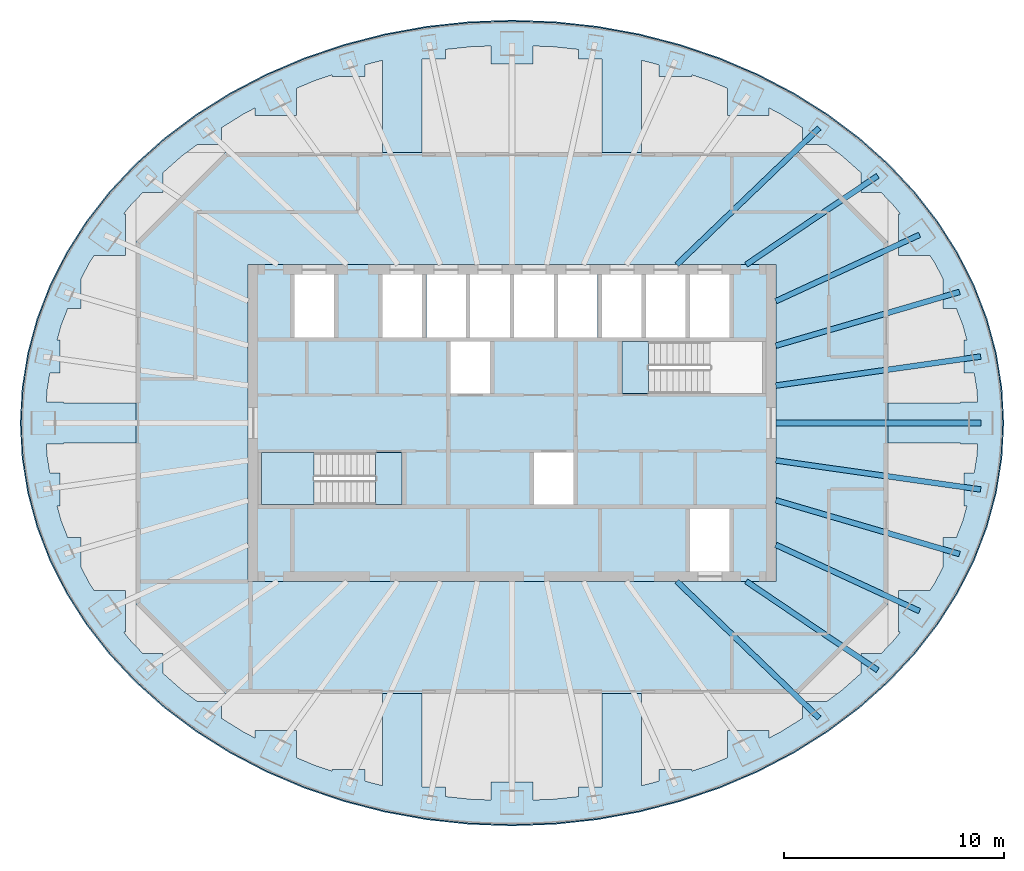
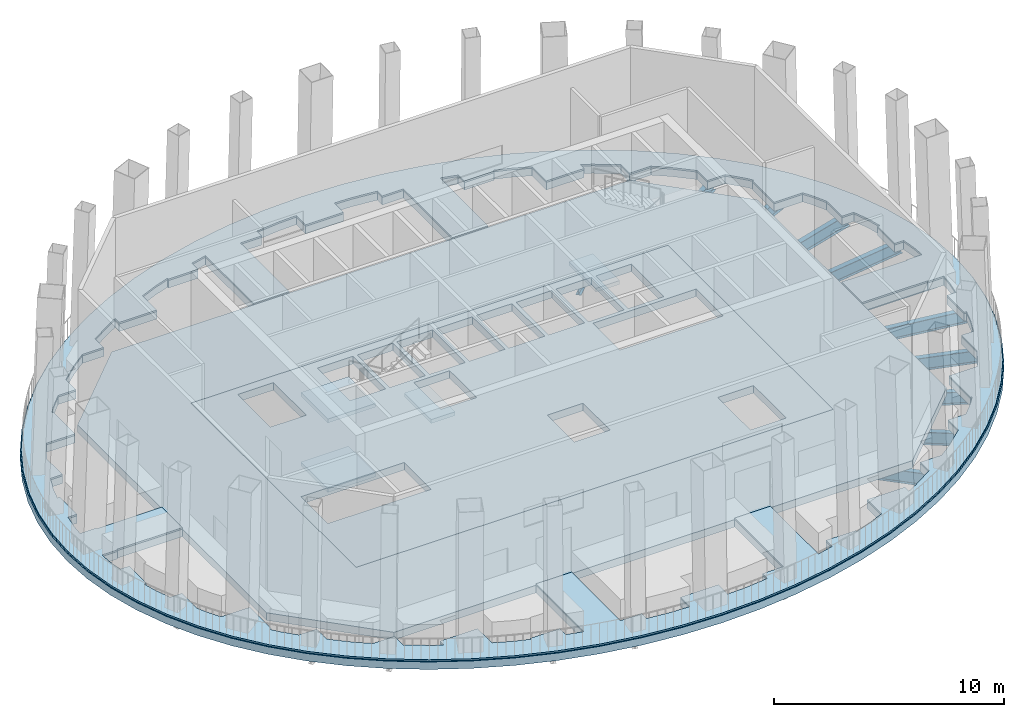
# One storey, part 2 of 12: 11 beams, 8 slabs, 2 elements without a shape of their own.
"""IFC4 building model written with IfcOpenShell, lengths in metres."""

from ifc_helpers import new_model, si_unit, direction, frame, origin, origin_2d, place, context, subcontext, project, spatial, polyline, i_section, outline, extrude, material, layer, layer_set, material_profile, profile_set, type_object, element, aggregate, save


model = new_model("IFC4")

# Units and contexts
model_context = context("Model", 3, precision=1e-05, world=origin(), true_north=direction((0.0, 1.0)))
body_context = subcontext(model_context, "Body", "Model", "MODEL_VIEW")
ifc_project = project(units=[si_unit("LENGTHUNIT", "METRE"), si_unit("AREAUNIT", "SQUARE_METRE"), si_unit("VOLUMEUNIT", "CUBIC_METRE"), si_unit("PLANEANGLEUNIT", "RADIAN"), si_unit("MASSUNIT", "GRAM", prefix="KILO")], contexts=[model_context])

# Site, building, storey
site_placement = place(None, origin())
site = spatial("IfcSite", under=ifc_project, at=site_placement, CompositionType="ELEMENT")
building_placement = place(site_placement, origin())
building = spatial("IfcBuilding", under=site, at=building_placement, Name="Siaravel Broadcast Tower", CompositionType="ELEMENT")
storey_placement = place(building_placement, frame((0.0, 0.0, 205.199951171875)))
storey = spatial("IfcBuildingStorey", under=building, at=storey_placement, Name="L50", CompositionType="ELEMENT", Elevation=205.199951171875)

# Beams
ifc_material_1 = material(Name="Steel S355", Category="steel")
ifc_material_profile = material_profile(ifc_material_1, i_section(OverallWidth=0.2529296875, OverallDepth=0.677978515625, WebThickness=0.01171875, FlangeThickness=0.01611328125, FilletRadius=0.01513671875, at=origin_2d()))
ifc_profile_set = profile_set([ifc_material_profile], Name="Steel S355")
beam_type = type_object("IfcBeamType", Name="BM-UB 686x254x125", PredefinedType="BEAM", material=ifc_profile_set)
beam_1_placement = place(storey_placement, frame((21.340087890625, 0.0, -0.739013671875), z_axis=(-1.0, 0.0, 0.0), x_axis=(0.0, -1.0, 0.0)))
element("IfcBeam", 1, at=beam_1_placement, inside=storey, type_object=beam_type, Name="Radial beam RB01", PredefinedType="BEAM", context=body_context, shape_type="SweptSolid", body=[
    extrude(i_section(OverallWidth=0.2529296875, OverallDepth=0.677978515625, WebThickness=0.01171875, FlangeThickness=0.01611328125, FilletRadius=0.01513671875, at=origin_2d()), origin(), (0.0, 0.0, 1.0), 9.340087890625),
])
beam_2_placement = place(storey_placement, frame((21.317138671875, 3.0234375, -0.739013671875), z_axis=(-0.990090135, -0.140433349, 0.0), x_axis=(0.140433349, -0.990090135, 0.0)))
element("IfcBeam", 2, at=beam_2_placement, inside=storey, type_object=beam_type, Name="Radial beam RB02", PredefinedType="BEAM", context=body_context, shape_type="SweptSolid", body=[
    extrude(i_section(OverallWidth=0.2529296875, OverallDepth=0.677978515625, WebThickness=0.01171875, FlangeThickness=0.01611328125, FilletRadius=0.01513671875, at=origin_2d()), origin(), (0.0, 0.0, 1.0), 9.410400390625),
])
beam_3_placement = place(storey_placement, frame((20.355712890625, 5.9619140625, -0.739013671875), z_axis=(-0.959685028, -0.281077654, 0.0), x_axis=(0.281077654, -0.959685028, 0.0)))
element("IfcBeam", 3, at=beam_3_placement, inside=storey, type_object=beam_type, Name="Radial beam RB03", PredefinedType="BEAM", context=body_context, shape_type="SweptSolid", body=[
    extrude(i_section(OverallWidth=0.2529296875, OverallDepth=0.677978515625, WebThickness=0.01171875, FlangeThickness=0.01611328125, FilletRadius=0.01513671875, at=origin_2d()), origin(), (0.0, 0.0, 1.0), 8.706787109375),
])
beam_4_placement = place(storey_placement, frame((18.53466796875, 8.556884765625, -0.739013671875), z_axis=(-0.907914704, -0.419154972, 0.0), x_axis=(0.419154972, -0.907914704, 0.0)))
element("IfcBeam", 4, at=beam_4_placement, inside=storey, type_object=beam_type, Name="Radial beam RB04", PredefinedType="BEAM", context=body_context, shape_type="SweptSolid", body=[
    extrude(i_section(OverallWidth=0.2529296875, OverallDepth=0.677978515625, WebThickness=0.01171875, FlangeThickness=0.01611328125, FilletRadius=0.01513671875, at=origin_2d()), origin(), (0.0, 0.0, 1.0), 7.197509765625),
])
beam_5_placement = place(storey_placement, frame((16.63134765625, 11.24267578125, -0.739013671875), z_axis=(-0.828468949, -0.560034999, 0.0), x_axis=(0.560034999, -0.828468949, 0.0)))
element("IfcBeam", 5, at=beam_5_placement, inside=storey, type_object=beam_type, Name="Radial beam RB05", PredefinedType="BEAM", context=body_context, shape_type="SweptSolid", body=[
    extrude(i_section(OverallWidth=0.2529296875, OverallDepth=0.677978515625, WebThickness=0.01171875, FlangeThickness=0.01611328125, FilletRadius=0.01513671875, at=origin_2d()), origin(), (0.0, 0.0, 1.0), 7.21875),
])
for number, where, z_axis, x_axis, name in (
    (6, (13.97119140625, 13.42138671875, -0.739013671875), (-0.721155308, -0.692773428, 0.0), (0.692773428, -0.721155308, 0.0), "Radial beam RB06"),
    (7, (13.97119140625, -13.42138671875, -0.739013671875), (-0.721155308, 0.692773428, 0.0), (-0.692773428, -0.721155308, 0.0), "Radial beam RB32"),
):
    element("IfcBeam", number, at=place(storey_placement, frame(where, z_axis=z_axis, x_axis=x_axis)), inside=storey, type_object=beam_type, Name=name, PredefinedType="BEAM", context=body_context, shape_type="SweptSolid", body=[
        extrude(i_section(OverallWidth=0.2529296875, OverallDepth=0.677978515625, WebThickness=0.01171875, FlangeThickness=0.01611328125, FilletRadius=0.01513671875, at=origin_2d()), origin(), (0.0, 0.0, 1.0), 8.98046875),
    ])
beam_6_placement = place(storey_placement, frame((16.63134765625, -11.24267578125, -0.739013671875), z_axis=(-0.828468949, 0.560034999, 0.0), x_axis=(-0.560034999, -0.828468949, 0.0)))
element("IfcBeam", 8, at=beam_6_placement, inside=storey, type_object=beam_type, Name="Radial beam RB33", PredefinedType="BEAM", context=body_context, shape_type="SweptSolid", body=[
    extrude(i_section(OverallWidth=0.2529296875, OverallDepth=0.677978515625, WebThickness=0.01171875, FlangeThickness=0.01611328125, FilletRadius=0.01513671875, at=origin_2d()), origin(), (0.0, 0.0, 1.0), 7.21875),
])
beam_7_placement = place(storey_placement, frame((18.53466796875, -8.556884765625, -0.739013671875), z_axis=(-0.907914704, 0.419154972, 0.0), x_axis=(-0.419154972, -0.907914704, 0.0)))
element("IfcBeam", 9, at=beam_7_placement, inside=storey, type_object=beam_type, Name="Radial beam RB34", PredefinedType="BEAM", context=body_context, shape_type="SweptSolid", body=[
    extrude(i_section(OverallWidth=0.2529296875, OverallDepth=0.677978515625, WebThickness=0.01171875, FlangeThickness=0.01611328125, FilletRadius=0.01513671875, at=origin_2d()), origin(), (0.0, 0.0, 1.0), 7.197509765625),
])
beam_8_placement = place(storey_placement, frame((20.355712890625, -5.9619140625, -0.739013671875), z_axis=(-0.959685028, 0.281077654, 0.0), x_axis=(-0.281077654, -0.959685028, 0.0)))
element("IfcBeam", 10, at=beam_8_placement, inside=storey, type_object=beam_type, Name="Radial beam RB35", PredefinedType="BEAM", context=body_context, shape_type="SweptSolid", body=[
    extrude(i_section(OverallWidth=0.2529296875, OverallDepth=0.677978515625, WebThickness=0.01171875, FlangeThickness=0.01611328125, FilletRadius=0.01513671875, at=origin_2d()), origin(), (0.0, 0.0, 1.0), 8.706787109375),
])
beam_9_placement = place(storey_placement, frame((21.317138671875, -3.0234375, -0.739013671875), z_axis=(-0.990090135, 0.140433349, 0.0), x_axis=(-0.140433349, -0.990090135, 0.0)))
element("IfcBeam", 11, at=beam_9_placement, inside=storey, type_object=beam_type, Name="Radial beam RB36", PredefinedType="BEAM", context=body_context, shape_type="SweptSolid", body=[
    extrude(i_section(OverallWidth=0.2529296875, OverallDepth=0.677978515625, WebThickness=0.01171875, FlangeThickness=0.01611328125, FilletRadius=0.01513671875, at=origin_2d()), origin(), (0.0, 0.0, 1.0), 9.410400390625),
])

# Slabs
ifc_material_2 = material(Name="Concrete C40/50", Category="concrete")
ifc_layer_1 = layer(ifc_material_2, 0.39990234375)
ifc_layer_set_1 = layer_set([ifc_layer_1], Name="Concrete C40/50")
slab_type_1 = type_object("IfcSlabType", Name="Core floor slab 400", PredefinedType="FLOOR", material=ifc_layer_set_1)
slab_1_placement = place(storey_placement, frame((0.0, 0.0, -0.39990234375)))
element("IfcSlab", 12, at=slab_1_placement, inside=storey, type_object=slab_type_1, Name="L50 core floor", PredefinedType="FLOOR", context=body_context, shape_type="SweptSolid", body=[
    extrude(outline(polyline([(-12.0, -7.199951171875), (-12.0, 7.199951171875), (12.0, 7.199951171875), (12.0, -7.199951171875), (-12.0, -7.199951171875)]), holes=[polyline([(11.3994140625, 1.3505859375), (11.3994140625, 3.699462890625), (6.200439453125, 3.699462890625), (6.200439453125, 1.3505859375), (11.3994140625, 1.3505859375)]), polyline([(8.10009765625, -3.89990234375), (8.10009765625, -6.75), (9.89990234375, -6.75), (9.89990234375, -3.89990234375), (8.10009765625, -3.89990234375)]), polyline([(9.89990234375, 6.75), (8.10009765625, 6.75), (8.10009765625, 3.89990234375), (9.89990234375, 3.89990234375), (9.89990234375, 6.75)]), polyline([(7.89990234375, 6.75), (6.10009765625, 6.75), (6.10009765625, 3.89990234375), (7.89990234375, 3.89990234375), (7.89990234375, 6.75)]), polyline([(5.89990234375, 6.75), (4.10009765625, 6.75), (4.10009765625, 3.89990234375), (5.89990234375, 3.89990234375), (5.89990234375, 6.75)]), polyline([(3.89990234375, 6.75), (2.10009765625, 6.75), (2.10009765625, 3.89990234375), (3.89990234375, 3.89990234375), (3.89990234375, 6.75)]), polyline([(2.800048828125, -1.35009765625), (1.0, -1.35009765625), (1.0, -3.699951171875), (2.800048828125, -3.699951171875), (2.800048828125, -1.35009765625)]), polyline([(1.89990234375, 6.75), (0.10009765625, 6.75), (0.10009765625, 3.89990234375), (1.89990234375, 3.89990234375), (1.89990234375, 6.75)]), polyline([(-0.10009765625, 6.75), (-1.89990234375, 6.75), (-1.89990234375, 3.89990234375), (-0.10009765625, 3.89990234375), (-0.10009765625, 6.75)]), polyline([(-1.0, 3.699951171875), (-2.800048828125, 3.699951171875), (-2.800048828125, 1.35009765625), (-1.0, 1.35009765625), (-1.0, 3.699951171875)]), polyline([(-2.10009765625, 6.75), (-3.89990234375, 6.75), (-3.89990234375, 3.89990234375), (-2.10009765625, 3.89990234375), (-2.10009765625, 6.75)]), polyline([(-4.10009765625, 6.75), (-5.89990234375, 6.75), (-5.89990234375, 3.89990234375), (-4.10009765625, 3.89990234375), (-4.10009765625, 6.75)]), polyline([(-11.3994140625, -3.699462890625), (-6.200439453125, -3.699462890625), (-6.200439453125, -1.3505859375), (-11.3994140625, -1.3505859375), (-11.3994140625, -3.699462890625)]), polyline([(-8.10009765625, 6.75), (-9.89990234375, 6.75), (-9.89990234375, 3.89990234375), (-8.10009765625, 3.89990234375), (-8.10009765625, 6.75)])]), origin(), (0.0, 0.0, 1.0), 0.39990234375),
])
ifc_layer_2 = layer(ifc_material_2, 0.39990234375)
ifc_layer_set_2 = layer_set([ifc_layer_2], Name="Concrete C40/50")
slab_type_2 = type_object("IfcSlabType", Name="SLB-FLOOR-400", PredefinedType="FLOOR", material=ifc_layer_set_2)
slab_2_placement = place(storey_placement, frame((0.0, 0.0, -0.39990234375)))
element("IfcSlab", 13, at=slab_2_placement, inside=storey, type_object=slab_type_2, Name="Floor slab", PredefinedType="FLOOR", context=body_context, shape_type="SweptSolid", body=[
    extrude(outline(polyline([(-17.10009765625, 8.241455078125), (-17.10009765625, -8.241455078125), (-13.04150390625, -12.300048828125), (13.04150390625, -12.300048828125), (17.10009765625, -8.241455078125), (17.10009765625, 8.241455078125), (13.04150390625, 12.300048828125), (-13.04150390625, 12.300048828125), (-17.10009765625, 8.241455078125)]), holes=[polyline([(-12.0, 7.199951171875), (12.0, 7.199951171875), (12.0, -7.199951171875), (-12.0, -7.199951171875), (-12.0, 7.199951171875)])]), origin(), (0.0, 0.0, 1.0), 0.39990234375),
])
ifc_layer_3 = layer(ifc_material_2, 0.39990234375)
ifc_layer_set_3 = layer_set([ifc_layer_3], Name="Concrete C40/50")
slab_type_3 = type_object("IfcSlabType", Name="SLB-FLOOR-400-EXT", PredefinedType="FLOOR", material=ifc_layer_set_3)
slab_3_placement = place(storey_placement, frame((0.0, 0.0, -0.39990234375)))
element("IfcSlab", 14, at=slab_3_placement, inside=storey, type_object=slab_type_3, Name="Sky garden terrace structural slab", PredefinedType="FLOOR", context=body_context, shape_type="SweptSolid", body=[
    extrude(outline(polyline([(22.376220703125, 0.0), (22.291015625, 1.597412109375), (22.0361328125, 3.1826171875), (21.61376953125, 4.743896484375), (21.026611328125, 6.268798828125), (20.279541015625, 7.74609375), (19.37841796875, 9.164306640625), (18.329345703125, 10.512939453125), (17.14111328125, 11.781494140625), (15.822265625, 12.960205078125), (14.383056640625, 14.04052734375), (12.83447265625, 15.013916015625), (11.18798828125, 15.873046875), (9.45654296875, 16.611328125), (7.653076171875, 17.223388671875), (5.79150390625, 17.7041015625), (3.885498046875, 18.050048828125), (1.9501953125, 18.2587890625), (0.0, 18.32861328125), (-1.9501953125, 18.2587890625), (-3.885498046875, 18.050048828125), (-5.79150390625, 17.7041015625), (-7.653076171875, 17.223388671875), (-9.45654296875, 16.611328125), (-11.18798828125, 15.873046875), (-12.83447265625, 15.013916015625), (-14.383056640625, 14.04052734375), (-15.822265625, 12.960205078125), (-17.14111328125, 11.781494140625), (-18.329345703125, 10.512939453125), (-19.37841796875, 9.164306640625), (-20.279541015625, 7.74609375), (-21.026611328125, 6.268798828125), (-21.61376953125, 4.743896484375), (-22.0361328125, 3.1826171875), (-22.291015625, 1.597412109375), (-22.376220703125, 0.0), (-22.291015625, -1.597412109375), (-22.0361328125, -3.1826171875), (-21.61376953125, -4.743896484375), (-21.026611328125, -6.268798828125), (-20.279541015625, -7.74609375), (-19.37841796875, -9.164306640625), (-18.329345703125, -10.512939453125), (-17.14111328125, -11.781494140625), (-15.822265625, -12.960205078125), (-14.383056640625, -14.04052734375), (-12.83447265625, -15.013916015625), (-11.18798828125, -15.873046875), (-9.45654296875, -16.611328125), (-7.653076171875, -17.223388671875), (-5.79150390625, -17.7041015625), (-3.885498046875, -18.050048828125), (-1.9501953125, -18.2587890625), (0.0, -18.32861328125), (1.9501953125, -18.2587890625), (3.885498046875, -18.050048828125), (5.79150390625, -17.7041015625), (7.653076171875, -17.223388671875), (9.45654296875, -16.611328125), (11.18798828125, -15.873046875), (12.83447265625, -15.013916015625), (14.383056640625, -14.04052734375), (15.822265625, -12.960205078125), (17.14111328125, -11.781494140625), (18.329345703125, -10.512939453125), (19.37841796875, -9.164306640625), (20.279541015625, -7.74609375), (21.026611328125, -6.268798828125), (21.61376953125, -4.743896484375), (22.0361328125, -3.1826171875), (22.291015625, -1.597412109375), (22.376220703125, 0.0)]), holes=[polyline([(-0.949951171875, -16.3310546875), (-0.949951171875, -17.14501953125), (-1.85009765625, -17.11328125), (-3.0322265625, -16.9873046875), (-3.0322265625, -16.56005859375), (-4.10009765625, -16.56005859375), (-4.10009765625, -12.300048828125), (-5.89990234375, -12.300048828125), (-5.89990234375, -16.489501953125), (-6.6962890625, -16.286376953125), (-6.6962890625, -15.755859375), (-8.1962890625, -15.755859375), (-8.1962890625, -15.82861328125), (-8.970458984375, -15.569091796875), (-9.7998046875, -15.2197265625), (-9.7998046875, -13.97412109375), (-11.69970703125, -13.97412109375), (-11.69970703125, -14.31689453125), (-12.1748046875, -14.072021484375), (-13.22119140625, -13.422119140625), (-13.22119140625, -12.67138671875), (-14.30224609375, -12.67138671875), (-14.802978515625, -12.300048828125), (-15.009033203125, -12.147216796875), (-15.88134765625, -11.376708984375), (-15.88134765625, -10.49267578125), (-16.78125, -10.49267578125), (-17.10009765625, -10.15625), (-17.387451171875, -9.853271484375), (-17.66015625, -9.5068359375), (-17.584716796875, -9.5068359375), (-17.584716796875, -7.606689453125), (-19.014404296875, -7.606689453125), (-19.2373046875, -7.260009765625), (-19.605712890625, -6.5400390625), (-19.605712890625, -5.2119140625), (-20.20458984375, -5.2119140625), (-20.502685546875, -4.446044921875), (-20.68701171875, -3.7734375), (-20.567138671875, -3.7734375), (-20.567138671875, -2.2734375), (-21.01904296875, -2.2734375), (-21.145263671875, -1.497314453125), (-21.1748046875, -0.949951171875), (-20.39013671875, -0.949951171875), (-20.39013671875, -0.89990234375), (-17.10009765625, -0.89990234375), (-17.10009765625, 0.89990234375), (-20.39013671875, 0.89990234375), (-20.39013671875, 0.949951171875), (-21.1748046875, 0.949951171875), (-21.145263671875, 1.497314453125), (-21.01904296875, 2.2734375), (-20.567138671875, 2.2734375), (-20.567138671875, 3.7734375), (-20.68701171875, 3.7734375), (-20.502685546875, 4.446044921875), (-20.20458984375, 5.2119140625), (-19.605712890625, 5.2119140625), (-19.605712890625, 6.5400390625), (-19.2373046875, 7.260009765625), (-19.014404296875, 7.606689453125), (-17.584716796875, 7.606689453125), (-17.584716796875, 9.5068359375), (-17.66015625, 9.5068359375), (-17.387451171875, 9.853271484375), (-17.10009765625, 10.15625), (-16.78125, 10.49267578125), (-15.88134765625, 10.49267578125), (-15.88134765625, 11.376708984375), (-15.009033203125, 12.147216796875), (-14.802978515625, 12.300048828125), (-14.30224609375, 12.67138671875), (-13.22119140625, 12.67138671875), (-13.22119140625, 13.422119140625), (-12.1748046875, 14.072021484375), (-11.69970703125, 14.31689453125), (-11.69970703125, 13.97412109375), (-9.7998046875, 13.97412109375), (-9.7998046875, 15.2197265625), (-8.970458984375, 15.569091796875), (-8.1962890625, 15.82861328125), (-8.1962890625, 15.755859375), (-6.6962890625, 15.755859375), (-6.6962890625, 16.286376953125), (-5.89990234375, 16.489501953125), (-5.89990234375, 12.300048828125), (-4.10009765625, 12.300048828125), (-4.10009765625, 16.56005859375), (-3.0322265625, 16.56005859375), (-3.0322265625, 16.9873046875), (-1.85009765625, 17.11328125), (-0.949951171875, 17.14501953125), (-0.949951171875, 16.3310546875), (0.949951171875, 16.3310546875), (0.949951171875, 17.14501953125), (1.85009765625, 17.11328125), (3.0322265625, 16.9873046875), (3.0322265625, 16.56005859375), (4.10009765625, 16.56005859375), (4.10009765625, 12.300048828125), (5.89990234375, 12.300048828125), (5.89990234375, 16.489501953125), (6.6962890625, 16.286376953125), (6.6962890625, 15.755859375), (8.1962890625, 15.755859375), (8.1962890625, 15.82861328125), (8.970458984375, 15.569091796875), (9.7998046875, 15.2197265625), (9.7998046875, 13.97412109375), (11.69970703125, 13.97412109375), (11.69970703125, 14.31689453125), (12.1748046875, 14.072021484375), (13.22119140625, 13.422119140625), (13.22119140625, 12.67138671875), (14.30224609375, 12.67138671875), (14.802978515625, 12.300048828125), (15.009033203125, 12.147216796875), (15.88134765625, 11.376708984375), (15.88134765625, 10.49267578125), (16.78125, 10.49267578125), (17.10009765625, 10.15625), (17.387451171875, 9.853271484375), (17.66015625, 9.5068359375), (17.584716796875, 9.5068359375), (17.584716796875, 7.606689453125), (19.014404296875, 7.606689453125), (19.2373046875, 7.260009765625), (19.605712890625, 6.5400390625), (19.605712890625, 5.2119140625), (20.20458984375, 5.2119140625), (20.502685546875, 4.446044921875), (20.68701171875, 3.7734375), (20.567138671875, 3.7734375), (20.567138671875, 2.2734375), (21.01904296875, 2.2734375), (21.145263671875, 1.497314453125), (21.1748046875, 0.949951171875), (20.39013671875, 0.949951171875), (20.39013671875, 0.89990234375), (17.10009765625, 0.89990234375), (17.10009765625, -0.89990234375), (20.39013671875, -0.89990234375), (20.39013671875, -0.949951171875), (21.1748046875, -0.949951171875), (21.145263671875, -1.497314453125), (21.01904296875, -2.2734375), (20.567138671875, -2.2734375), (20.567138671875, -3.7734375), (20.68701171875, -3.7734375), (20.502685546875, -4.446044921875), (20.20458984375, -5.2119140625), (19.605712890625, -5.2119140625), (19.605712890625, -6.5400390625), (19.2373046875, -7.260009765625), (19.014404296875, -7.606689453125), (17.584716796875, -7.606689453125), (17.584716796875, -9.5068359375), (17.66015625, -9.5068359375), (17.387451171875, -9.853271484375), (17.10009765625, -10.15625), (16.78125, -10.49267578125), (15.88134765625, -10.49267578125), (15.88134765625, -11.376708984375), (15.009033203125, -12.147216796875), (14.802978515625, -12.300048828125), (14.30224609375, -12.67138671875), (13.22119140625, -12.67138671875), (13.22119140625, -13.422119140625), (12.1748046875, -14.072021484375), (11.69970703125, -14.31689453125), (11.69970703125, -13.97412109375), (9.7998046875, -13.97412109375), (9.7998046875, -15.2197265625), (8.970458984375, -15.569091796875), (8.1962890625, -15.82861328125), (8.1962890625, -15.755859375), (6.6962890625, -15.755859375), (6.6962890625, -16.286376953125), (5.89990234375, -16.489501953125), (5.89990234375, -12.300048828125), (4.10009765625, -12.300048828125), (4.10009765625, -16.56005859375), (3.0322265625, -16.56005859375), (3.0322265625, -16.9873046875), (1.85009765625, -17.11328125), (0.949951171875, -17.14501953125), (0.949951171875, -16.3310546875), (-0.949951171875, -16.3310546875)])]), origin(), (0.0, 0.0, 1.0), 0.39990234375),
])
ifc_layer_4 = layer(ifc_material_2, 0.080078125)
ifc_layer_set_4 = layer_set([ifc_layer_4], Name="Concrete C40/50")
slab_type_4 = type_object("IfcSlabType", Name="Sky garden paving slab", PredefinedType="FLOOR", material=ifc_layer_set_4)
slab_4_placement = place(storey_placement, origin())
element("IfcSlab", 15, at=slab_4_placement, inside=storey, type_object=slab_type_4, Name="L50 sky garden terrace paving", PredefinedType="FLOOR", context=body_context, shape_type="SweptSolid", body=[
    extrude(outline(polyline([(22.326171875, 0.0), (22.2412109375, 1.593017578125), (21.98681640625, 3.174072265625), (21.5654296875, 4.730712890625), (20.979736328125, 6.251708984375), (20.234375, 7.724853515625), (19.3349609375, 9.139404296875), (18.28857421875, 10.484130859375), (17.102783203125, 11.749267578125), (15.786865234375, 12.9248046875), (14.350830078125, 14.002197265625), (12.8056640625, 14.972900390625), (11.1630859375, 15.82958984375), (9.435302734375, 16.56591796875), (7.635986328125, 17.17626953125), (5.7783203125, 17.65576171875), (3.876953125, 18.0009765625), (1.94580078125, 18.208984375), (0.0, 18.278564453125), (-1.94580078125, 18.208984375), (-3.876953125, 18.0009765625), (-5.7783203125, 17.65576171875), (-7.635986328125, 17.17626953125), (-9.435302734375, 16.56591796875), (-11.1630859375, 15.82958984375), (-12.8056640625, 14.972900390625), (-14.350830078125, 14.002197265625), (-15.786865234375, 12.9248046875), (-17.102783203125, 11.749267578125), (-18.28857421875, 10.484130859375), (-19.3349609375, 9.139404296875), (-20.234375, 7.724853515625), (-20.979736328125, 6.251708984375), (-21.5654296875, 4.730712890625), (-21.98681640625, 3.174072265625), (-22.2412109375, 1.593017578125), (-22.326171875, 0.0), (-22.2412109375, -1.593017578125), (-21.98681640625, -3.174072265625), (-21.5654296875, -4.730712890625), (-20.979736328125, -6.251708984375), (-20.234375, -7.724853515625), (-19.3349609375, -9.139404296875), (-18.28857421875, -10.484130859375), (-17.102783203125, -11.749267578125), (-15.786865234375, -12.9248046875), (-14.350830078125, -14.002197265625), (-12.8056640625, -14.972900390625), (-11.1630859375, -15.82958984375), (-9.435302734375, -16.56591796875), (-7.635986328125, -17.17626953125), (-5.7783203125, -17.65576171875), (-3.876953125, -18.0009765625), (-1.94580078125, -18.208984375), (0.0, -18.278564453125), (1.94580078125, -18.208984375), (3.876953125, -18.0009765625), (5.7783203125, -17.65576171875), (7.635986328125, -17.17626953125), (9.435302734375, -16.56591796875), (11.1630859375, -15.82958984375), (12.8056640625, -14.972900390625), (14.350830078125, -14.002197265625), (15.786865234375, -12.9248046875), (17.102783203125, -11.749267578125), (18.28857421875, -10.484130859375), (19.3349609375, -9.139404296875), (20.234375, -7.724853515625), (20.979736328125, -6.251708984375), (21.5654296875, -4.730712890625), (21.98681640625, -3.174072265625), (22.2412109375, -1.593017578125), (22.326171875, 0.0)]), holes=[polyline([(-0.949951171875, -16.3310546875), (-0.949951171875, -17.14501953125), (-1.85009765625, -17.11328125), (-3.0322265625, -16.9873046875), (-3.0322265625, -16.56005859375), (-4.10009765625, -16.56005859375), (-4.10009765625, -12.300048828125), (-5.89990234375, -12.300048828125), (-5.89990234375, -16.489501953125), (-6.6962890625, -16.286376953125), (-6.6962890625, -15.755859375), (-8.1962890625, -15.755859375), (-8.1962890625, -15.82861328125), (-8.970458984375, -15.569091796875), (-9.7998046875, -15.2197265625), (-9.7998046875, -13.97412109375), (-11.69970703125, -13.97412109375), (-11.69970703125, -14.31689453125), (-12.1748046875, -14.072021484375), (-13.22119140625, -13.422119140625), (-13.22119140625, -12.67138671875), (-14.30224609375, -12.67138671875), (-14.802978515625, -12.300048828125), (-15.009033203125, -12.147216796875), (-15.88134765625, -11.376708984375), (-15.88134765625, -10.49267578125), (-16.78125, -10.49267578125), (-17.10009765625, -10.15625), (-17.387451171875, -9.853271484375), (-17.66015625, -9.5068359375), (-17.584716796875, -9.5068359375), (-17.584716796875, -7.606689453125), (-19.014404296875, -7.606689453125), (-19.2373046875, -7.260009765625), (-19.605712890625, -6.5400390625), (-19.605712890625, -5.2119140625), (-20.20458984375, -5.2119140625), (-20.502685546875, -4.446044921875), (-20.68701171875, -3.7734375), (-20.567138671875, -3.7734375), (-20.567138671875, -2.2734375), (-21.01904296875, -2.2734375), (-21.145263671875, -1.497314453125), (-21.1748046875, -0.949951171875), (-20.39013671875, -0.949951171875), (-20.39013671875, -0.89990234375), (-17.10009765625, -0.89990234375), (-17.10009765625, 0.89990234375), (-20.39013671875, 0.89990234375), (-20.39013671875, 0.949951171875), (-21.1748046875, 0.949951171875), (-21.145263671875, 1.497314453125), (-21.01904296875, 2.2734375), (-20.567138671875, 2.2734375), (-20.567138671875, 3.7734375), (-20.68701171875, 3.7734375), (-20.502685546875, 4.446044921875), (-20.20458984375, 5.2119140625), (-19.605712890625, 5.2119140625), (-19.605712890625, 6.5400390625), (-19.2373046875, 7.260009765625), (-19.014404296875, 7.606689453125), (-17.584716796875, 7.606689453125), (-17.584716796875, 9.5068359375), (-17.66015625, 9.5068359375), (-17.387451171875, 9.853271484375), (-17.10009765625, 10.15625), (-16.78125, 10.49267578125), (-15.88134765625, 10.49267578125), (-15.88134765625, 11.376708984375), (-15.009033203125, 12.147216796875), (-14.802978515625, 12.300048828125), (-14.30224609375, 12.67138671875), (-13.22119140625, 12.67138671875), (-13.22119140625, 13.422119140625), (-12.1748046875, 14.072021484375), (-11.69970703125, 14.31689453125), (-11.69970703125, 13.97412109375), (-9.7998046875, 13.97412109375), (-9.7998046875, 15.2197265625), (-8.970458984375, 15.569091796875), (-8.1962890625, 15.82861328125), (-8.1962890625, 15.755859375), (-6.6962890625, 15.755859375), (-6.6962890625, 16.286376953125), (-5.89990234375, 16.489501953125), (-5.89990234375, 12.300048828125), (-4.10009765625, 12.300048828125), (-4.10009765625, 16.56005859375), (-3.0322265625, 16.56005859375), (-3.0322265625, 16.9873046875), (-1.85009765625, 17.11328125), (-0.949951171875, 17.14501953125), (-0.949951171875, 16.3310546875), (0.949951171875, 16.3310546875), (0.949951171875, 17.14501953125), (1.85009765625, 17.11328125), (3.0322265625, 16.9873046875), (3.0322265625, 16.56005859375), (4.10009765625, 16.56005859375), (4.10009765625, 12.300048828125), (5.89990234375, 12.300048828125), (5.89990234375, 16.489501953125), (6.6962890625, 16.286376953125), (6.6962890625, 15.755859375), (8.1962890625, 15.755859375), (8.1962890625, 15.82861328125), (8.970458984375, 15.569091796875), (9.7998046875, 15.2197265625), (9.7998046875, 13.97412109375), (11.69970703125, 13.97412109375), (11.69970703125, 14.31689453125), (12.1748046875, 14.072021484375), (13.22119140625, 13.422119140625), (13.22119140625, 12.67138671875), (14.30224609375, 12.67138671875), (14.802978515625, 12.300048828125), (15.009033203125, 12.147216796875), (15.88134765625, 11.376708984375), (15.88134765625, 10.49267578125), (16.78125, 10.49267578125), (17.10009765625, 10.15625), (17.387451171875, 9.853271484375), (17.66015625, 9.5068359375), (17.584716796875, 9.5068359375), (17.584716796875, 7.606689453125), (19.014404296875, 7.606689453125), (19.2373046875, 7.260009765625), (19.605712890625, 6.5400390625), (19.605712890625, 5.2119140625), (20.20458984375, 5.2119140625), (20.502685546875, 4.446044921875), (20.68701171875, 3.7734375), (20.567138671875, 3.7734375), (20.567138671875, 2.2734375), (21.01904296875, 2.2734375), (21.145263671875, 1.497314453125), (21.1748046875, 0.949951171875), (20.39013671875, 0.949951171875), (20.39013671875, 0.89990234375), (17.10009765625, 0.89990234375), (17.10009765625, -0.89990234375), (20.39013671875, -0.89990234375), (20.39013671875, -0.949951171875), (21.1748046875, -0.949951171875), (21.145263671875, -1.497314453125), (21.01904296875, -2.2734375), (20.567138671875, -2.2734375), (20.567138671875, -3.7734375), (20.68701171875, -3.7734375), (20.502685546875, -4.446044921875), (20.20458984375, -5.2119140625), (19.605712890625, -5.2119140625), (19.605712890625, -6.5400390625), (19.2373046875, -7.260009765625), (19.014404296875, -7.606689453125), (17.584716796875, -7.606689453125), (17.584716796875, -9.5068359375), (17.66015625, -9.5068359375), (17.387451171875, -9.853271484375), (17.10009765625, -10.15625), (16.78125, -10.49267578125), (15.88134765625, -10.49267578125), (15.88134765625, -11.376708984375), (15.009033203125, -12.147216796875), (14.802978515625, -12.300048828125), (14.30224609375, -12.67138671875), (13.22119140625, -12.67138671875), (13.22119140625, -13.422119140625), (12.1748046875, -14.072021484375), (11.69970703125, -14.31689453125), (11.69970703125, -13.97412109375), (9.7998046875, -13.97412109375), (9.7998046875, -15.2197265625), (8.970458984375, -15.569091796875), (8.1962890625, -15.82861328125), (8.1962890625, -15.755859375), (6.6962890625, -15.755859375), (6.6962890625, -16.286376953125), (5.89990234375, -16.489501953125), (5.89990234375, -12.300048828125), (4.10009765625, -12.300048828125), (4.10009765625, -16.56005859375), (3.0322265625, -16.56005859375), (3.0322265625, -16.9873046875), (1.85009765625, -17.11328125), (0.949951171875, -17.14501953125), (0.949951171875, -16.3310546875), (-0.949951171875, -16.3310546875)])]), origin(), (0.0, 0.0, 1.0), 0.080078125),
])

# Stair, slabs
stair_type = type_object("IfcStairType", Name="Core exit stair", PredefinedType="HALF_TURN_STAIR", material=ifc_material_2)
stair_1_placement = place(storey_placement, origin())
stair_1 = element("IfcStair", 16, at=stair_1_placement, inside=storey, type_object=stair_type, Name="L50 Exit stair ST-1", PredefinedType="HALF_TURN_STAIR")
ifc_layer_5 = layer(ifc_material_2, 0.199951171875)
ifc_layer_set_5 = layer_set([ifc_layer_5], Name="Concrete C40/50")
slab_type_5 = type_object("IfcSlabType", Name="Stair landing", PredefinedType="LANDING", material=ifc_layer_set_5)
slab_5_placement = place(storey_placement, frame((0.0, 0.0, 1.650146484375)))
slab_5 = element("IfcSlab", 17, at=slab_5_placement, type_object=slab_type_5, Name="ST-1 landing 1", PredefinedType="LANDING", context=body_context, shape_type="SweptSolid", body=[
    extrude(outline(polyline([(-9.0, -1.35009765625), (-11.39990234375, -1.35009765625), (-11.39990234375, -3.699951171875), (-9.0, -3.699951171875), (-9.0, -1.35009765625)])), origin(), (0.0, 0.0, 1.0), 0.199951171875),
])
slab_6_placement = place(storey_placement, frame((0.0, 0.0, 3.5)))
slab_6 = element("IfcSlab", 18, at=slab_6_placement, type_object=slab_type_5, Name="ST-1 landing 2", PredefinedType="LANDING", context=body_context, shape_type="SweptSolid", body=[
    extrude(outline(polyline([(-5.0, -1.35009765625), (-6.199951171875, -1.35009765625), (-6.199951171875, -3.699951171875), (-5.0, -3.699951171875), (-5.0, -1.35009765625)])), origin(), (0.0, 0.0, 1.0), 0.199951171875),
])
slab_7_placement = place(storey_placement, frame((0.0, 0.0, 5.35009765625)))
slab_7 = element("IfcSlab", 19, at=slab_7_placement, type_object=slab_type_5, Name="ST-1 landing 3", PredefinedType="LANDING", context=body_context, shape_type="SweptSolid", body=[
    extrude(outline(polyline([(-9.0, -1.35009765625), (-11.39990234375, -1.35009765625), (-11.39990234375, -3.699951171875), (-9.0, -3.699951171875), (-9.0, -1.35009765625)])), origin(), (0.0, 0.0, 1.0), 0.199951171875),
])
aggregate(stair_1, [slab_5, slab_6, slab_7])

# Stair, slab
stair_2_placement = place(storey_placement, origin())
stair_2 = element("IfcStair", 20, at=stair_2_placement, inside=storey, type_object=stair_type, Name="L50 Exit stair ST-2", PredefinedType="HALF_TURN_STAIR")
slab_8_placement = place(storey_placement, frame((0.0, 0.0, 3.5)))
slab_8 = element("IfcSlab", 21, at=slab_8_placement, type_object=slab_type_5, Name="ST-2 landing 2", PredefinedType="LANDING", context=body_context, shape_type="SweptSolid", body=[
    extrude(outline(polyline([(5.0, 1.35009765625), (6.199951171875, 1.35009765625), (6.199951171875, 3.699951171875), (5.0, 3.699951171875), (5.0, 1.35009765625)])), origin(), (0.0, 0.0, 1.0), 0.199951171875),
])
aggregate(stair_2, [slab_8])

save(model, "model.ifc")
